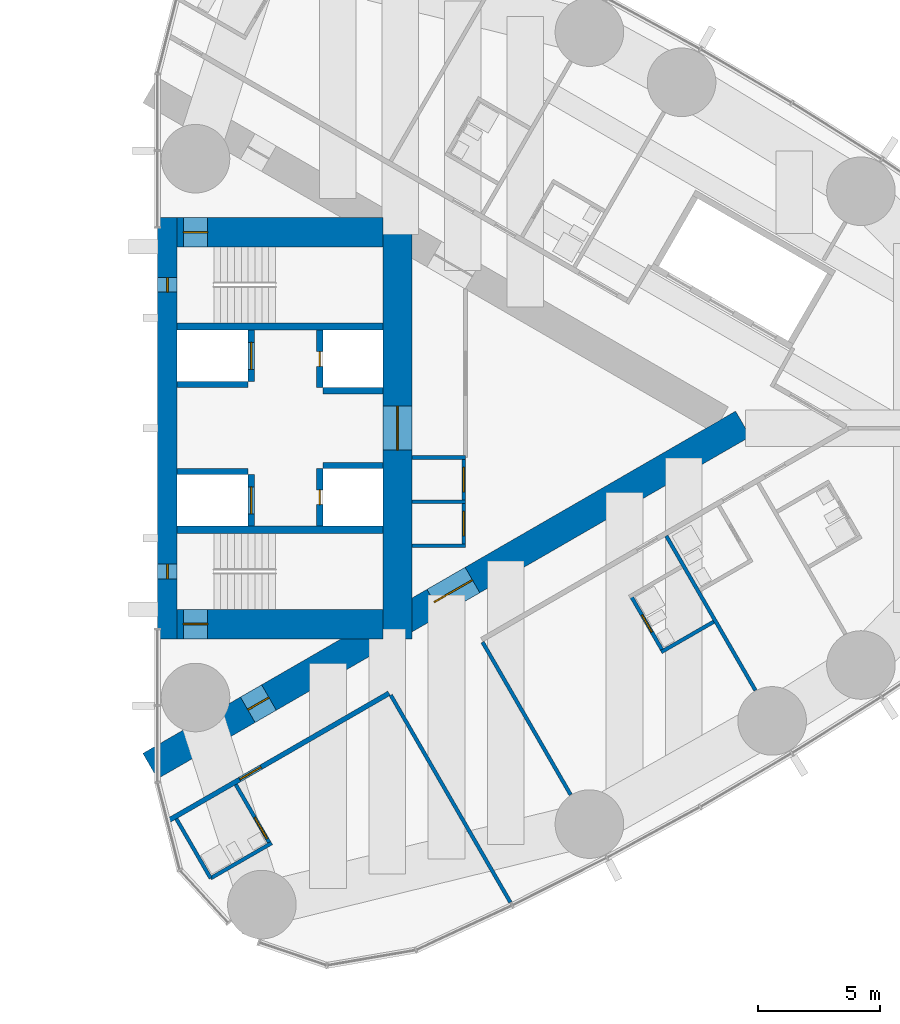
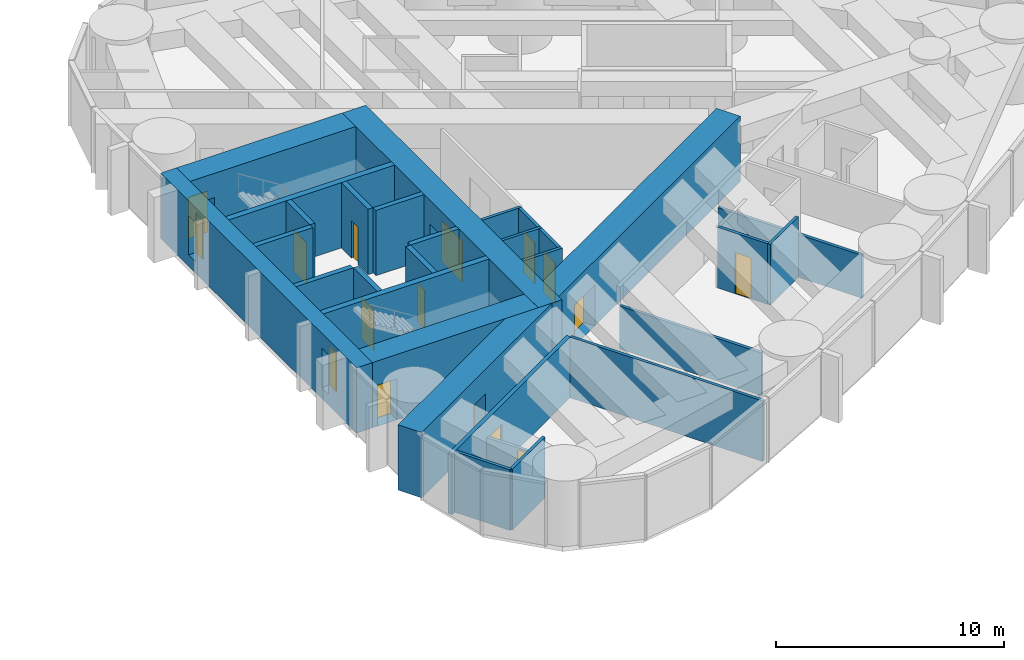
# One storey, part 14 of 19: 29 walls, 14 doors, 2 windows, 16 openings.
"""IFC4 building model written with IfcOpenShell, lengths in metres."""

from ifc_helpers import new_model, si_unit, direction, frame, frame_2d, origin, place, context, subcontext, project, spatial, rectangle, extrude, material, layer, layer_set, type_object, element, fill, save


model = new_model("IFC4")

# Units and contexts
model_context = context("Model", 3, precision=1e-05, world=origin(), true_north=direction((0.0, 1.0)))
body_context = subcontext(model_context, "Body", "Model", "MODEL_VIEW")
ifc_project = project(units=[si_unit("LENGTHUNIT", "METRE"), si_unit("AREAUNIT", "SQUARE_METRE"), si_unit("VOLUMEUNIT", "CUBIC_METRE"), si_unit("PLANEANGLEUNIT", "RADIAN"), si_unit("MASSUNIT", "GRAM", prefix="KILO")], contexts=[model_context])

# Site, building, storey
site_placement = place(None, origin())
site = spatial("IfcSite", under=ifc_project, at=site_placement, CompositionType="ELEMENT")
building_placement = place(site_placement, origin())
building = spatial("IfcBuilding", under=site, at=building_placement, Name="Lancet Gate Hotel", CompositionType="ELEMENT")
storey_placement = place(building_placement, frame((0.0, 0.0, 163.300048828125)))
storey = spatial("IfcBuildingStorey", under=building, at=storey_placement, Name="L43", CompositionType="ELEMENT", Elevation=163.300048828125)

# Wall
ifc_material_1 = material(Name="Moisture resistant board partition")
ifc_layer_1 = layer(ifc_material_1, 0.14990234375)
ifc_layer_set_1 = layer_set([ifc_layer_1], Name="Bathroom wall 150")
wall_type_1 = type_object("IfcWallType", Name="Bathroom wall 150", PredefinedType="PARTITIONING", material=ifc_layer_set_1)
wall_1_placement = place(storey_placement, frame((29.669189453125, -18.378662109375, 0.0), z_axis=(0.0, 0.0, 1.0), x_axis=(0.866039941686, 0.499974818771, 0.0)))
element("IfcWall", 1, at=wall_1_placement, inside=storey, type_object=wall_type_1, Name="T2 bathroom wall 150 L43", PredefinedType="PARTITIONING", context=body_context, shape_type="SweptSolid", body=[
    extrude(rectangle(XDim=2.875244140625, YDim=0.14990234375, at=frame_2d((1.4375, 0.0))), origin(), (0.0, 0.0, 1.0), 3.25),
])

# Wall, opening, door
wall_2_placement = place(storey_placement, frame((30.694091796875, -14.553955078125, 0.0), z_axis=(0.0, 0.0, 1.0), x_axis=(0.500049511043, -0.865996816683, 0.0)))
wall_2 = element("IfcWall", 2, at=wall_2_placement, inside=storey, type_object=wall_type_1, Name="T2 bathroom wall 150 L43", PredefinedType="PARTITIONING", context=body_context, shape_type="SweptSolid", body=[
    extrude(rectangle(XDim=2.800048828125, YDim=0.14990234375, at=frame_2d((1.39990234375, 0.0))), origin(), (0.0, 0.0, 1.0), 2.300048828125),
])
opening_1_placement = place(wall_2_placement, frame((1.550048828125, 0.0, 0.0)))
opening_1 = element("IfcOpeningElement", 3, at=opening_1_placement, cuts=wall_2, Name="Opening 4351-B", PredefinedType="OPENING", context=body_context, shape_type="SweptSolid", body=[
    extrude(rectangle(XDim=1.0, YDim=2.199951171875, at=frame_2d((0.5, 1.10009765625))), frame((0.0, 0.0849609375, 0.0), z_axis=(0.0, -1.0, 0.0), x_axis=(1.0, 0.0, 0.0)), (0.0, 0.0, 1.0), 0.169921875),
])
ifc_material_2 = material(Name="Timber door set", Category="wood")
door_type_1 = type_object("IfcDoorType", Name="Accessible en-suite door 1000", OperationType="SINGLE_SWING_RIGHT", PredefinedType="DOOR", material=ifc_material_2)
door_1_placement = place(opening_1_placement, origin())
door_1 = element("IfcDoor", 4, at=door_1_placement, inside=storey, type_object=door_type_1, Name="4351-B", OperationType="SINGLE_SWING_RIGHT", OverallHeight=2.199951171875, OverallWidth=1.0, PredefinedType="DOOR", context=body_context, shape_type="SweptSolid", body=[
    extrude(rectangle(XDim=1.0, YDim=2.199951171875, at=frame_2d((0.5, 1.10009765625))), frame((0.0, 0.02490234375, 0.0), z_axis=(0.0, -1.0, 0.0), x_axis=(1.0, 0.0, 0.0)), (0.0, 0.0, 1.0), 0.050048828125),
])
fill(opening_1, door_1)

# Walls
wall_3_placement = place(storey_placement, frame((28.269287109375, -15.953857421875, 0.0), z_axis=(0.0, 0.0, 1.0), x_axis=(0.49998411664, -0.866034573852, 0.0)))
element("IfcWall", 5, at=wall_3_placement, inside=storey, type_object=wall_type_1, Name="T2 bathroom wall 150 L43", PredefinedType="PARTITIONING", context=body_context, shape_type="SweptSolid", body=[
    extrude(rectangle(XDim=2.7998046875, YDim=0.14990234375, at=frame_2d((1.39990234375, 0.0))), origin(), (0.0, 0.0, 1.0), 3.25),
])
wall_4_placement = place(storey_placement, frame((48.06640625, -9.142822265625, 0.0), z_axis=(0.0, 0.0, 1.0), x_axis=(0.866006523861, 0.500032699561, 0.0)))
element("IfcWall", 6, at=wall_4_placement, inside=storey, type_object=wall_type_1, Name="T2 bathroom wall 150 L43", PredefinedType="PARTITIONING", context=body_context, shape_type="SweptSolid", body=[
    extrude(rectangle(XDim=2.474853515625, YDim=0.14990234375, at=frame_2d((1.2373046875, 0.0))), origin(), (0.0, 0.0, 1.0), 3.25),
])

# Wall, opening, door
wall_5_placement = place(storey_placement, frame((46.831298828125, -6.853759765625, 0.0), z_axis=(0.0, 0.0, 1.0), x_axis=(0.500006934395, -0.866021400173, 0.0)))
wall_5 = element("IfcWall", 7, at=wall_5_placement, inside=storey, type_object=wall_type_1, Name="T2 bathroom wall 150 L43", PredefinedType="PARTITIONING", context=body_context, shape_type="SweptSolid", body=[
    extrude(rectangle(XDim=2.60009765625, YDim=0.14990234375, at=frame_2d((1.300048828125, 0.0))), origin(), (0.0, 0.0, 1.0), 3.25),
])
opening_2_placement = place(wall_5_placement, frame((0.89990234375, 0.0, 0.0)))
opening_2 = element("IfcOpeningElement", 8, at=opening_2_placement, cuts=wall_5, Name="Opening 4354-B", PredefinedType="OPENING", context=body_context, shape_type="SweptSolid", body=[
    extrude(rectangle(XDim=0.800048828125, YDim=2.199951171875, at=frame_2d((0.39990234375, 1.10009765625))), frame((0.0, 0.0849609375, 0.0), z_axis=(0.0, -1.0, 0.0), x_axis=(1.0, 0.0, 0.0)), (0.0, 0.0, 1.0), 0.169921875),
])
ifc_material_3 = material(Name="Timber door set", Category="wood")
door_type_2 = type_object("IfcDoorType", Name="Bathroom door 800", OperationType="SINGLE_SWING_RIGHT", PredefinedType="DOOR", material=ifc_material_3)
door_2_placement = place(opening_2_placement, origin())
door_2 = element("IfcDoor", 9, at=door_2_placement, inside=storey, type_object=door_type_2, Name="4354-B", OperationType="SINGLE_SWING_RIGHT", OverallHeight=2.199951171875, OverallWidth=0.800048828125, PredefinedType="DOOR", context=body_context, shape_type="SweptSolid", body=[
    extrude(rectangle(XDim=0.800048828125, YDim=2.199951171875, at=frame_2d((0.39990234375, 1.10009765625))), frame((0.0, 0.02490234375, 0.0), z_axis=(0.0, -1.0, 0.0), x_axis=(1.0, 0.0, 0.0)), (0.0, 0.0, 1.0), 0.050048828125),
])
fill(opening_2, door_2)

# Wall, openings, doors
ifc_material_4 = material(Name="Concrete C70/85", Category="concrete")
ifc_layer_2 = layer(ifc_material_4, 1.199951171875)
ifc_layer_set_2 = layer_set([ifc_layer_2], Name="Buttress wall 1200")
wall_type_2 = type_object("IfcWallType", Name="Buttress wall 1200", PredefinedType="SHEAR", material=ifc_layer_set_2)
wall_6_placement = place(storey_placement, frame((27.199951171875, -13.800048828125, 0.0), z_axis=(0.0, 0.0, 1.0), x_axis=(0.866027159892, 0.499996958321, 0.0)))
wall_6 = element("IfcWall", 10, at=wall_6_placement, inside=storey, type_object=wall_type_2, Name="T2 buttress wall S L43", PredefinedType="SHEAR", context=body_context, shape_type="SweptSolid", body=[
    extrude(rectangle(XDim=27.946533203125, YDim=1.199951171875, at=frame_2d((13.97314453125, 0.0))), origin(), (0.0, 0.0, 1.0), 3.5),
])
opening_3_placement = place(wall_6_placement, frame((4.60009765625, 0.0, 0.0)))
opening_3 = element("IfcOpeningElement", 11, at=opening_3_placement, cuts=wall_6, Name="Opening T2-L43-LS", PredefinedType="OPENING", context=body_context, shape_type="SweptSolid", body=[
    extrude(rectangle(XDim=1.0, YDim=2.199951171875, at=frame_2d((0.5, 1.10009765625))), frame((0.0, 0.60986328125, 0.0), z_axis=(0.0, -1.0, 0.0), x_axis=(1.0, 0.0, 0.0)), (0.0, 0.0, 1.0), 1.219970703125),
])
opening_4_placement = place(wall_6_placement, frame((13.39453125, 0.0, 0.0)))
opening_4 = element("IfcOpeningElement", 12, at=opening_4_placement, cuts=wall_6, Name="Opening T2-L43-LHS", PredefinedType="OPENING", context=body_context, shape_type="SweptSolid", body=[
    extrude(rectangle(XDim=1.800048828125, YDim=2.199951171875, at=frame_2d((0.89990234375, 1.10009765625))), frame((0.0, 0.60986328125, 0.0), z_axis=(0.0, -1.0, 0.0), x_axis=(1.0, 0.0, 0.0)), (0.0, 0.0, 1.0), 1.219970703125),
])
ifc_material_5 = material(Name="Timber door set", Category="wood")
door_type_3 = type_object("IfcDoorType", Name="Lobby double door 1800", OperationType="DOUBLE_DOOR_SINGLE_SWING", PredefinedType="DOOR", material=ifc_material_5)
door_3_placement = place(opening_4_placement, origin())
door_3 = element("IfcDoor", 13, at=door_3_placement, inside=storey, type_object=door_type_3, Name="T2-L43-LHS", OperationType="DOUBLE_DOOR_SINGLE_SWING", OverallHeight=2.199951171875, OverallWidth=1.800048828125, PredefinedType="DOOR", context=body_context, shape_type="SweptSolid", body=[
    extrude(rectangle(XDim=1.800048828125, YDim=2.199951171875, at=frame_2d((0.89990234375, 1.10009765625))), frame((0.0, 0.02490234375, 0.0), z_axis=(0.0, -1.0, 0.0), x_axis=(1.0, 0.0, 0.0)), (0.0, 0.0, 1.0), 0.050048828125),
])
fill(opening_4, door_3)
ifc_material_6 = material(Name="Timber door set", Category="wood")
door_type_4 = type_object("IfcDoorType", Name="Stair lobby door 1000", OperationType="SINGLE_SWING_LEFT", PredefinedType="DOOR", material=ifc_material_6)
door_4_placement = place(opening_3_placement, origin())
door_4 = element("IfcDoor", 14, at=door_4_placement, inside=storey, type_object=door_type_4, Name="T2-L43-LS", OperationType="SINGLE_SWING_LEFT", OverallHeight=2.199951171875, OverallWidth=1.0, PredefinedType="DOOR", context=body_context, shape_type="SweptSolid", body=[
    extrude(rectangle(XDim=1.0, YDim=2.199951171875, at=frame_2d((0.5, 1.10009765625))), frame((0.0, 0.02490234375, 0.0), z_axis=(0.0, -1.0, 0.0), x_axis=(1.0, 0.0, 0.0)), (0.0, 0.0, 1.0), 0.050048828125),
])
fill(opening_3, door_4)

# Wall, opening, door
ifc_material_7 = material(Name="Concrete C70/85", Category="concrete")
ifc_layer_3 = layer(ifc_material_7, 1.199951171875)
ifc_layer_set_3 = layer_set([ifc_layer_3], Name="Core wall 1200")
wall_type_3 = type_object("IfcWallType", Name="Core wall 1200", PredefinedType="SHEAR", material=ifc_layer_set_3)
wall_7_placement = place(storey_placement, frame((37.300048828125, -8.60009765625, 0.0), z_axis=(0.0, 0.0, 1.0), x_axis=(0.0, 1.0, 0.0)))
wall_7 = element("IfcWall", 15, at=wall_7_placement, inside=storey, type_object=wall_type_3, Name="T2 core wall back L43", PredefinedType="SHEAR", context=body_context, shape_type="SweptSolid", body=[
    extrude(rectangle(XDim=17.2001953125, YDim=1.199951171875, at=frame_2d((8.60009765625, 0.0))), origin(), (0.0, 0.0, 1.0), 3.5),
])
opening_5_placement = place(wall_7_placement, frame((7.699951171875, 0.0, 0.0)))
opening_5 = element("IfcOpeningElement", 16, at=opening_5_placement, cuts=wall_7, Name="Opening T2-L43-LL", PredefinedType="OPENING", context=body_context, shape_type="SweptSolid", body=[
    extrude(rectangle(XDim=1.800048828125, YDim=2.199951171875, at=frame_2d((0.89990234375, 1.10009765625))), frame((0.0, 0.60986328125, 0.0), z_axis=(0.0, -1.0, 0.0), x_axis=(1.0, 0.0, 0.0)), (0.0, 0.0, 1.0), 1.219970703125),
])
door_5_placement = place(opening_5_placement, origin())
door_5 = element("IfcDoor", 17, at=door_5_placement, inside=storey, type_object=door_type_3, Name="T2-L43-LL", OperationType="DOUBLE_DOOR_SINGLE_SWING", OverallHeight=2.199951171875, OverallWidth=1.800048828125, PredefinedType="DOOR", context=body_context, shape_type="SweptSolid", body=[
    extrude(rectangle(XDim=1.800048828125, YDim=2.199951171875, at=frame_2d((0.89990234375, 1.10009765625))), frame((0.0, 0.02490234375, 0.0), z_axis=(0.0, -1.0, 0.0), x_axis=(1.0, 0.0, 0.0)), (0.0, 0.0, 1.0), 0.050048828125),
])
fill(opening_5, door_5)

wall_8_placement = place(storey_placement, frame((28.300048828125, -8.0, 0.0), z_axis=(0.0, 0.0, 1.0), x_axis=(1.0, 0.0, 0.0)))
wall_8 = element("IfcWall", 18, at=wall_8_placement, inside=storey, type_object=wall_type_3, Name="T2 core wall side-S L43", PredefinedType="SHEAR", context=body_context, shape_type="SweptSolid", body=[
    extrude(rectangle(XDim=8.39990234375, YDim=1.199951171875, at=frame_2d((4.199951171875, 0.0))), origin(), (0.0, 0.0, 1.0), 3.5),
])
opening_6_placement = place(wall_8_placement, frame((0.25, 0.0, 0.0)))
opening_6 = element("IfcOpeningElement", 19, at=opening_6_placement, cuts=wall_8, Name="Opening T2-L43-ST1", PredefinedType="OPENING", context=body_context, shape_type="SweptSolid", body=[
    extrude(rectangle(XDim=1.0, YDim=2.199951171875, at=frame_2d((0.5, 1.10009765625))), frame((0.0, 0.60986328125, 0.0), z_axis=(0.0, -1.0, 0.0), x_axis=(1.0, 0.0, 0.0)), (0.0, 0.0, 1.0), 1.219970703125),
])
ifc_material_8 = material(Name="Timber door set", Category="wood")
door_type_5 = type_object("IfcDoorType", Name="Stair door 1000", OperationType="SINGLE_SWING_RIGHT", PredefinedType="DOOR", material=ifc_material_8)
door_6_placement = place(opening_6_placement, origin())
door_6 = element("IfcDoor", 20, at=door_6_placement, inside=storey, type_object=door_type_5, Name="T2-L43-ST1", OperationType="SINGLE_SWING_RIGHT", OverallHeight=2.199951171875, OverallWidth=1.0, PredefinedType="DOOR", context=body_context, shape_type="SweptSolid", body=[
    extrude(rectangle(XDim=1.0, YDim=2.199951171875, at=frame_2d((0.5, 1.10009765625))), frame((0.0, 0.02490234375, 0.0), z_axis=(0.0, -1.0, 0.0), x_axis=(1.0, 0.0, 0.0)), (0.0, 0.0, 1.0), 0.050048828125),
])
fill(opening_6, door_6)

wall_9_placement = place(storey_placement, frame((28.300048828125, 8.0, 0.0), z_axis=(0.0, 0.0, 1.0), x_axis=(1.0, 0.0, 0.0)))
wall_9 = element("IfcWall", 21, at=wall_9_placement, inside=storey, type_object=wall_type_3, Name="T2 core wall side-N L43", PredefinedType="SHEAR", context=body_context, shape_type="SweptSolid", body=[
    extrude(rectangle(XDim=8.39990234375, YDim=1.199951171875, at=frame_2d((4.199951171875, 0.0))), origin(), (0.0, 0.0, 1.0), 3.5),
])
opening_7_placement = place(wall_9_placement, frame((0.25, 0.0, 0.0)))
opening_7 = element("IfcOpeningElement", 22, at=opening_7_placement, cuts=wall_9, Name="Opening T2-L43-ST2", PredefinedType="OPENING", context=body_context, shape_type="SweptSolid", body=[
    extrude(rectangle(XDim=1.0, YDim=2.199951171875, at=frame_2d((0.5, 1.10009765625))), frame((0.0, 0.60986328125, 0.0), z_axis=(0.0, -1.0, 0.0), x_axis=(1.0, 0.0, 0.0)), (0.0, 0.0, 1.0), 1.219970703125),
])
door_7_placement = place(opening_7_placement, origin())
door_7 = element("IfcDoor", 23, at=door_7_placement, inside=storey, type_object=door_type_5, Name="T2-L43-ST2", OperationType="SINGLE_SWING_RIGHT", OverallHeight=2.199951171875, OverallWidth=1.0, PredefinedType="DOOR", context=body_context, shape_type="SweptSolid", body=[
    extrude(rectangle(XDim=1.0, YDim=2.199951171875, at=frame_2d((0.5, 1.10009765625))), frame((0.0, 0.02490234375, 0.0), z_axis=(0.0, -1.0, 0.0), x_axis=(1.0, 0.0, 0.0)), (0.0, 0.0, 1.0), 0.050048828125),
])
fill(opening_7, door_7)

# Wall, openings, windows
ifc_material_9 = material(Name="Concrete C70/85", Category="concrete")
ifc_layer_4 = layer(ifc_material_9, 0.800048828125)
ifc_layer_set_4 = layer_set([ifc_layer_4], Name="Core wall 800")
wall_type_4 = type_object("IfcWallType", Name="Core wall 800", PredefinedType="SHEAR", material=ifc_layer_set_4)
wall_10_placement = place(storey_placement, frame((27.89990234375, -8.60009765625, 0.0), z_axis=(0.0, 0.0, 1.0), x_axis=(0.0, 1.0, 0.0)))
wall_10 = element("IfcWall", 24, at=wall_10_placement, inside=storey, type_object=wall_type_4, Name="T2 core wall front L43", PredefinedType="SHEAR", context=body_context, shape_type="SweptSolid", body=[
    extrude(rectangle(XDim=17.2001953125, YDim=0.800048828125, at=frame_2d((8.60009765625, 0.0))), origin(), (0.0, 0.0, 1.0), 3.5),
])
opening_8_placement = place(wall_10_placement, frame((2.449951171875, 0.0, 0.60009765625)))
opening_8 = element("IfcOpeningElement", 25, at=opening_8_placement, cuts=wall_10, Name="Opening LW1", PredefinedType="OPENING", context=body_context, shape_type="SweptSolid", body=[
    extrude(rectangle(XDim=0.60009765625, YDim=2.10009765625, at=frame_2d((0.300048828125, 1.050048828125))), frame((0.0, 0.409912109375, 0.0), z_axis=(0.0, -1.0, 0.0), x_axis=(1.0, 0.0, 0.0)), (0.0, 0.0, 1.0), 0.820068359375),
])
opening_9_placement = place(wall_10_placement, frame((14.14990234375, 0.0, 0.60009765625)))
opening_9 = element("IfcOpeningElement", 26, at=opening_9_placement, cuts=wall_10, Name="Opening LW1", PredefinedType="OPENING", context=body_context, shape_type="SweptSolid", body=[
    extrude(rectangle(XDim=0.60009765625, YDim=2.10009765625, at=frame_2d((0.300048828125, 1.050048828125))), frame((0.0, 0.409912109375, 0.0), z_axis=(0.0, -1.0, 0.0), x_axis=(1.0, 0.0, 0.0)), (0.0, 0.0, 1.0), 0.820068359375),
])
ifc_material_10 = material(Name="Fire-resisting glazed steel window", Category="steel")
window_type = type_object("IfcWindowType", Name="Lancet window 600x2100", PartitioningType="SINGLE_PANEL", PredefinedType="WINDOW", material=ifc_material_10)
window_1_placement = place(opening_8_placement, origin())
window_1 = element("IfcWindow", 27, at=window_1_placement, inside=storey, type_object=window_type, Name="T2 stair window S L43", OverallHeight=2.10009765625, OverallWidth=0.60009765625, PartitioningType="SINGLE_PANEL", PredefinedType="WINDOW", context=body_context, shape_type="SweptSolid", body=[
    extrude(rectangle(XDim=0.60009765625, YDim=2.10009765625, at=frame_2d((0.300048828125, 1.050048828125))), frame((0.0, 0.030029296875, 0.0), z_axis=(0.0, -1.0, 0.0), x_axis=(1.0, 0.0, 0.0)), (0.0, 0.0, 1.0), 0.06005859375),
])
fill(opening_8, window_1)
window_2_placement = place(opening_9_placement, origin())
window_2 = element("IfcWindow", 28, at=window_2_placement, inside=storey, type_object=window_type, Name="T2 stair window N L43", OverallHeight=2.10009765625, OverallWidth=0.60009765625, PartitioningType="SINGLE_PANEL", PredefinedType="WINDOW", context=body_context, shape_type="SweptSolid", body=[
    extrude(rectangle(XDim=0.60009765625, YDim=2.10009765625, at=frame_2d((0.300048828125, 1.050048828125))), frame((0.0, 0.030029296875, 0.0), z_axis=(0.0, -1.0, 0.0), x_axis=(1.0, 0.0, 0.0)), (0.0, 0.0, 1.0), 0.06005859375),
])
fill(opening_9, window_2)

# Wall, opening, door
ifc_material_11 = material(Name="Gypsum board partition")
ifc_layer_5 = layer(ifc_material_11, 0.199951171875)
ifc_layer_set_5 = layer_set([ifc_layer_5], Name="Corridor wall 200")
wall_type_5 = type_object("IfcWallType", Name="Corridor wall 200", PredefinedType="PARTITIONING", material=ifc_layer_set_5)
wall_11_placement = place(storey_placement, frame((27.95947265625, -16.017333984375, 0.0), z_axis=(0.0, 0.0, 1.0), x_axis=(0.866026201739, 0.499998617899, 0.0)))
wall_11 = element("IfcWall", 29, at=wall_11_placement, inside=storey, type_object=wall_type_5, Name="T2 corridor wall 200 L43", PredefinedType="PARTITIONING", context=body_context, shape_type="SweptSolid", body=[
    extrude(rectangle(XDim=10.3818359375, YDim=0.199951171875, at=frame_2d((5.19091796875, 0.0))), origin(), (0.0, 0.0, 1.0), 3.25),
])
opening_10_placement = place(wall_11_placement, frame((3.35009765625, 0.0, 0.0)))
opening_10 = element("IfcOpeningElement", 30, at=opening_10_placement, cuts=wall_11, Name="Opening 4351-E", PredefinedType="OPENING", context=body_context, shape_type="SweptSolid", body=[
    extrude(rectangle(XDim=1.0, YDim=2.199951171875, at=frame_2d((0.5, 1.10009765625))), frame((0.0, 0.10986328125, 0.0), z_axis=(0.0, -1.0, 0.0), x_axis=(1.0, 0.0, 0.0)), (0.0, 0.0, 1.0), 0.219970703125),
])
ifc_material_12 = material(Name="Timber door set", Category="wood")
door_type_6 = type_object("IfcDoorType", Name="Accessible guest room door 1000", OperationType="SINGLE_SWING_LEFT", PredefinedType="DOOR", material=ifc_material_12)
door_8_placement = place(opening_10_placement, origin())
door_8 = element("IfcDoor", 31, at=door_8_placement, inside=storey, type_object=door_type_6, Name="4351-E", OperationType="SINGLE_SWING_LEFT", OverallHeight=2.199951171875, OverallWidth=1.0, PredefinedType="DOOR", context=body_context, shape_type="SweptSolid", body=[
    extrude(rectangle(XDim=1.0, YDim=2.199951171875, at=frame_2d((0.5, 1.10009765625))), frame((0.0, 0.02490234375, 0.0), z_axis=(0.0, -1.0, 0.0), x_axis=(1.0, 0.0, 0.0)), (0.0, 0.0, 1.0), 0.050048828125),
])
fill(opening_10, door_8)

ifc_material_13 = material(Name="Concrete C50/60", Category="concrete")
ifc_layer_6 = layer(ifc_material_13, 0.25)
ifc_layer_set_6 = layer_set([ifc_layer_6], Name="Lift shaft wall 250")
wall_type_6 = type_object("IfcWallType", Name="Lift shaft wall 250", PredefinedType="SHEAR", material=ifc_layer_set_6)
wall_12_placement = place(storey_placement, frame((31.324951171875, -4.0, 0.0), z_axis=(0.0, 0.0, 1.0), x_axis=(0.0, 1.0, 0.0)))
wall_12 = element("IfcWall", 32, at=wall_12_placement, inside=storey, type_object=wall_type_6, Name="T2 core wall row1-S L43", PredefinedType="SHEAR", context=body_context, shape_type="SweptSolid", body=[
    extrude(rectangle(XDim=2.10009765625, YDim=0.25, at=frame_2d((1.050048828125, 0.0))), origin(), (0.0, 0.0, 1.0), 3.5),
])
opening_11_placement = place(wall_12_placement, frame((0.5, 0.0, 0.0)))
opening_11 = element("IfcOpeningElement", 33, at=opening_11_placement, cuts=wall_12, Name="Opening T2-SL1-L43", PredefinedType="OPENING", context=body_context, shape_type="SweptSolid", body=[
    extrude(rectangle(XDim=1.10009765625, YDim=2.199951171875, at=frame_2d((0.550048828125, 1.10009765625))), frame((0.0, 0.135009765625, 0.0), z_axis=(0.0, -1.0, 0.0), x_axis=(1.0, 0.0, 0.0)), (0.0, 0.0, 1.0), 0.27001953125),
])
ifc_material_14 = material(Name="Timber door set", Category="wood")
door_type_7 = type_object("IfcDoorType", Name="Service lift landing door 1100", OperationType="SLIDING_TO_LEFT", PredefinedType="USERDEFINED", material=ifc_material_14)
door_9_placement = place(opening_11_placement, origin())
door_9 = element("IfcDoor", 34, at=door_9_placement, inside=storey, type_object=door_type_7, Name="T2-SL1-L43", ObjectType="LIFT LANDING DOOR", OperationType="SLIDING_TO_LEFT", OverallHeight=2.199951171875, OverallWidth=1.10009765625, PredefinedType="USERDEFINED", context=body_context, shape_type="SweptSolid", body=[
    extrude(rectangle(XDim=1.10009765625, YDim=2.199951171875, at=frame_2d((0.550048828125, 1.10009765625))), frame((0.0, 0.02490234375, 0.0), z_axis=(0.0, -1.0, 0.0), x_axis=(1.0, 0.0, 0.0)), (0.0, 0.0, 1.0), 0.050048828125),
])
fill(opening_11, door_9)

wall_13_placement = place(storey_placement, frame((34.125, -4.0, 0.0), z_axis=(0.0, 0.0, 1.0), x_axis=(0.0, 1.0, 0.0)))
wall_13 = element("IfcWall", 35, at=wall_13_placement, inside=storey, type_object=wall_type_6, Name="T2 core wall row2-S L43", PredefinedType="SHEAR", context=body_context, shape_type="SweptSolid", body=[
    extrude(rectangle(XDim=2.35009765625, YDim=0.25, at=frame_2d((1.175048828125, 0.0))), origin(), (0.0, 0.0, 1.0), 3.5),
])
opening_12_placement = place(wall_13_placement, frame((0.875, 0.0, 0.0)))
opening_12 = element("IfcOpeningElement", 36, at=opening_12_placement, cuts=wall_13, Name="Opening T2-OL3-L43-E", PredefinedType="OPENING", context=body_context, shape_type="SweptSolid", body=[
    extrude(rectangle(XDim=0.60009765625, YDim=2.0, at=frame_2d((0.300048828125, 1.0))), frame((0.0, 0.135009765625, 0.0), z_axis=(0.0, -1.0, 0.0), x_axis=(1.0, 0.0, 0.0)), (0.0, 0.0, 1.0), 0.27001953125),
])
ifc_material_15 = material(Name="Steel door set", Category="steel")
door_type_8 = type_object("IfcDoorType", Name="Lift shaft emergency door 600x2000", OperationType="SLIDING_TO_LEFT", PredefinedType="DOOR", material=ifc_material_15)
door_10_placement = place(opening_12_placement, origin())
door_10 = element("IfcDoor", 37, at=door_10_placement, inside=storey, type_object=door_type_8, Name="T2-OL3-L43-E", OperationType="SLIDING_TO_LEFT", OverallHeight=2.0, OverallWidth=0.60009765625, PredefinedType="DOOR", context=body_context, shape_type="SweptSolid", body=[
    extrude(rectangle(XDim=0.60009765625, YDim=2.0, at=frame_2d((0.300048828125, 1.0))), frame((0.0, 0.02490234375, 0.0), z_axis=(0.0, -1.0, 0.0), x_axis=(1.0, 0.0, 0.0)), (0.0, 0.0, 1.0), 0.050048828125),
])
fill(opening_12, door_10)

# Walls
wall_14_placement = place(storey_placement, frame((28.300048828125, -1.77490234375, 0.0), z_axis=(0.0, 0.0, 1.0), x_axis=(1.0, 0.0, 0.0)))
element("IfcWall", 38, at=wall_14_placement, inside=storey, type_object=wall_type_6, Name="T2 core wall pass1-S L43", PredefinedType="SHEAR", context=body_context, shape_type="SweptSolid", body=[
    extrude(rectangle(XDim=2.89990234375, YDim=0.25, at=frame_2d((1.449951171875, 0.0))), origin(), (0.0, 0.0, 1.0), 3.5),
])
wall_15_placement = place(storey_placement, frame((34.25, -1.52490234375, 0.0), z_axis=(0.0, 0.0, 1.0), x_axis=(1.0, 0.0, 0.0)))
element("IfcWall", 39, at=wall_15_placement, inside=storey, type_object=wall_type_6, Name="T2 core wall pass2-S L43", PredefinedType="SHEAR", context=body_context, shape_type="SweptSolid", body=[
    extrude(rectangle(XDim=2.449951171875, YDim=0.25, at=frame_2d((1.22509765625, 0.0))), origin(), (0.0, 0.0, 1.0), 3.5),
])

# Wall, opening, door
wall_16_placement = place(storey_placement, frame((31.324951171875, 1.89990234375, 0.0), z_axis=(0.0, 0.0, 1.0), x_axis=(0.0, 1.0, 0.0)))
wall_16 = element("IfcWall", 40, at=wall_16_placement, inside=storey, type_object=wall_type_6, Name="T2 core wall row1-N L43", PredefinedType="SHEAR", context=body_context, shape_type="SweptSolid", body=[
    extrude(rectangle(XDim=2.10009765625, YDim=0.25, at=frame_2d((1.050048828125, 0.0))), origin(), (0.0, 0.0, 1.0), 3.5),
])
opening_13_placement = place(wall_16_placement, frame((0.5, 0.0, 0.0)))
opening_13 = element("IfcOpeningElement", 41, at=opening_13_placement, cuts=wall_16, Name="Opening T2-FL2-L43", PredefinedType="OPENING", context=body_context, shape_type="SweptSolid", body=[
    extrude(rectangle(XDim=1.10009765625, YDim=2.199951171875, at=frame_2d((0.550048828125, 1.10009765625))), frame((0.0, 0.135009765625, 0.0), z_axis=(0.0, -1.0, 0.0), x_axis=(1.0, 0.0, 0.0)), (0.0, 0.0, 1.0), 0.27001953125),
])
ifc_material_16 = material(Name="Steel door set", Category="steel")
door_type_9 = type_object("IfcDoorType", Name="Firefighting lift landing door 1100", OperationType="SLIDING_TO_LEFT", PredefinedType="USERDEFINED", material=ifc_material_16)
door_11_placement = place(opening_13_placement, origin())
door_11 = element("IfcDoor", 42, at=door_11_placement, inside=storey, type_object=door_type_9, Name="T2-FL2-L43", ObjectType="LIFT LANDING DOOR", OperationType="SLIDING_TO_LEFT", OverallHeight=2.199951171875, OverallWidth=1.10009765625, PredefinedType="USERDEFINED", context=body_context, shape_type="SweptSolid", body=[
    extrude(rectangle(XDim=1.10009765625, YDim=2.199951171875, at=frame_2d((0.550048828125, 1.10009765625))), frame((0.0, 0.02490234375, 0.0), z_axis=(0.0, -1.0, 0.0), x_axis=(1.0, 0.0, 0.0)), (0.0, 0.0, 1.0), 0.050048828125),
])
fill(opening_13, door_11)

wall_17_placement = place(storey_placement, frame((34.125, 1.64990234375, 0.0), z_axis=(0.0, 0.0, 1.0), x_axis=(0.0, 1.0, 0.0)))
wall_17 = element("IfcWall", 43, at=wall_17_placement, inside=storey, type_object=wall_type_6, Name="T2 core wall row2-N L43", PredefinedType="SHEAR", context=body_context, shape_type="SweptSolid", body=[
    extrude(rectangle(XDim=2.35009765625, YDim=0.25, at=frame_2d((1.175048828125, 0.0))), origin(), (0.0, 0.0, 1.0), 3.5),
])
opening_14_placement = place(wall_17_placement, frame((0.875, 0.0, 0.0)))
opening_14 = element("IfcOpeningElement", 44, at=opening_14_placement, cuts=wall_17, Name="Opening T2-OL4-L43-E", PredefinedType="OPENING", context=body_context, shape_type="SweptSolid", body=[
    extrude(rectangle(XDim=0.60009765625, YDim=2.0, at=frame_2d((0.300048828125, 1.0))), frame((0.0, 0.135009765625, 0.0), z_axis=(0.0, -1.0, 0.0), x_axis=(1.0, 0.0, 0.0)), (0.0, 0.0, 1.0), 0.27001953125),
])
door_12_placement = place(opening_14_placement, origin())
door_12 = element("IfcDoor", 45, at=door_12_placement, inside=storey, type_object=door_type_8, Name="T2-OL4-L43-E", OperationType="SLIDING_TO_LEFT", OverallHeight=2.0, OverallWidth=0.60009765625, PredefinedType="DOOR", context=body_context, shape_type="SweptSolid", body=[
    extrude(rectangle(XDim=0.60009765625, YDim=2.0, at=frame_2d((0.300048828125, 1.0))), frame((0.0, 0.02490234375, 0.0), z_axis=(0.0, -1.0, 0.0), x_axis=(1.0, 0.0, 0.0)), (0.0, 0.0, 1.0), 0.050048828125),
])
fill(opening_14, door_12)

# Walls
wall_18_placement = place(storey_placement, frame((28.300048828125, 1.77490234375, 0.0), z_axis=(0.0, 0.0, 1.0), x_axis=(1.0, 0.0, 0.0)))
element("IfcWall", 46, at=wall_18_placement, inside=storey, type_object=wall_type_6, Name="T2 core wall pass1-N L43", PredefinedType="SHEAR", context=body_context, shape_type="SweptSolid", body=[
    extrude(rectangle(XDim=2.89990234375, YDim=0.25, at=frame_2d((1.449951171875, 0.0))), origin(), (0.0, 0.0, 1.0), 3.5),
])
wall_19_placement = place(storey_placement, frame((34.25, 1.52490234375, 0.0), z_axis=(0.0, 0.0, 1.0), x_axis=(1.0, 0.0, 0.0)))
element("IfcWall", 47, at=wall_19_placement, inside=storey, type_object=wall_type_6, Name="T2 core wall pass2-N L43", PredefinedType="SHEAR", context=body_context, shape_type="SweptSolid", body=[
    extrude(rectangle(XDim=2.449951171875, YDim=0.25, at=frame_2d((1.22509765625, 0.0))), origin(), (0.0, 0.0, 1.0), 3.5),
])
ifc_material_17 = material(Name="Gypsum board partition")
ifc_layer_7 = layer(ifc_material_17, 0.14990234375)
ifc_layer_set_7 = layer_set([ifc_layer_7], Name="Party wall 150")
wall_type_7 = type_object("IfcWallType", Name="Party wall 150", PredefinedType="PARTITIONING", material=ifc_layer_set_7)
wall_20_placement = place(storey_placement, frame((37.022216796875, -10.900390625, 0.0), z_axis=(0.0, 0.0, 1.0), x_axis=(0.499998620953, -0.866026199976, 0.0)))
element("IfcWall", 48, at=wall_20_placement, inside=storey, type_object=wall_type_7, Name="T2 party wall 150 L43", PredefinedType="PARTITIONING", context=body_context, shape_type="SweptSolid", body=[
    extrude(rectangle(XDim=9.76953125, YDim=0.14990234375, at=frame_2d((4.884765625, 0.0))), origin(), (0.0, 0.0, 1.0), 3.25),
])
wall_21_placement = place(storey_placement, frame((40.769287109375, -8.737060546875, 0.0), z_axis=(0.0, 0.0, 1.0), x_axis=(0.500013115284, -0.866017831539, 0.0)))
element("IfcWall", 49, at=wall_21_placement, inside=storey, type_object=wall_type_7, Name="T2 party wall 150 L43", PredefinedType="PARTITIONING", context=body_context, shape_type="SweptSolid", body=[
    extrude(rectangle(XDim=7.197998046875, YDim=0.14990234375, at=frame_2d((3.59912109375, 0.0))), origin(), (0.0, 0.0, 1.0), 2.300048828125),
])
wall_22_placement = place(storey_placement, frame((48.274658203125, -4.40380859375, 0.0), z_axis=(0.0, 0.0, 1.0), x_axis=(0.500006004368, -0.866021937133, 0.0)))
element("IfcWall", 50, at=wall_22_placement, inside=storey, type_object=wall_type_7, Name="T2 party wall 150 L43", PredefinedType="PARTITIONING", context=body_context, shape_type="SweptSolid", body=[
    extrude(rectangle(XDim=7.279296875, YDim=0.14990234375, at=frame_2d((3.6396484375, 0.0))), origin(), (0.0, 0.0, 1.0), 2.300048828125),
])
ifc_material_18 = material(Name="Gypsum board partition")
ifc_layer_8 = layer(ifc_material_18, 0.14990234375)
ifc_layer_set_8 = layer_set([ifc_layer_8], Name="Service room wall 150")
wall_type_8 = type_object("IfcWallType", Name="Service room wall 150", PredefinedType="PARTITIONING", material=ifc_layer_set_8)
for number, where, z_axis, x_axis, name in (
    (51, (37.89990234375, -1.199951171875, 0.0), (0.0, 0.0, 1.0), (1.0, 0.0, 0.0), "T2 service room wall 150 L43"),
    (52, (37.89990234375, -3.0, 0.0), (0.0, 0.0, 1.0), (1.0, 0.0, 0.0), "T2 service room wall 150 L43"),
    (53, (37.89990234375, -4.800048828125, 0.0), (0.0, 0.0, 1.0), (1.0, 0.0, 0.0), "T2 service room wall 150 L43"),
):
    element("IfcWall", number, at=place(storey_placement, frame(where, z_axis=z_axis, x_axis=x_axis)), inside=storey, type_object=wall_type_8, Name=name, PredefinedType="PARTITIONING", context=body_context, shape_type="SweptSolid", body=[
        extrude(rectangle(XDim=2.175048828125, YDim=0.14990234375, at=frame_2d((1.08740234375, 0.0))), origin(), (0.0, 0.0, 1.0), 3.25),
    ])

# Wall, opening, door
wall_23_placement = place(storey_placement, frame((40.0, -3.074951171875, 0.0), z_axis=(0.0, 0.0, 1.0), x_axis=(0.0, 1.0, 0.0)))
wall_23 = element("IfcWall", 54, at=wall_23_placement, inside=storey, type_object=wall_type_8, Name="T2 service room wall 150 L43", PredefinedType="PARTITIONING", context=body_context, shape_type="SweptSolid", body=[
    extrude(rectangle(XDim=1.949951171875, YDim=0.14990234375, at=frame_2d((0.97509765625, 0.0))), origin(), (0.0, 0.0, 1.0), 3.25),
])
opening_15_placement = place(wall_23_placement, frame((0.47509765625, 0.0, 0.0)))
opening_15 = element("IfcOpeningElement", 55, at=opening_15_placement, cuts=wall_23, Name="Opening T2-L43-HRS0", PredefinedType="OPENING", context=body_context, shape_type="SweptSolid", body=[
    extrude(rectangle(XDim=1.0, YDim=2.199951171875, at=frame_2d((0.5, 1.10009765625))), frame((0.0, 0.0849609375, 0.0), z_axis=(0.0, -1.0, 0.0), x_axis=(1.0, 0.0, 0.0)), (0.0, 0.0, 1.0), 0.169921875),
])
ifc_material_19 = material(Name="Timber door set", Category="wood")
door_type_10 = type_object("IfcDoorType", Name="Service door 1000", OperationType="SINGLE_SWING_LEFT", PredefinedType="DOOR", material=ifc_material_19)
door_13_placement = place(opening_15_placement, origin())
door_13 = element("IfcDoor", 56, at=door_13_placement, inside=storey, type_object=door_type_10, Name="T2-L43-HRS0", OperationType="SINGLE_SWING_LEFT", OverallHeight=2.199951171875, OverallWidth=1.0, PredefinedType="DOOR", context=body_context, shape_type="SweptSolid", body=[
    extrude(rectangle(XDim=1.0, YDim=2.199951171875, at=frame_2d((0.5, 1.10009765625))), frame((0.0, 0.02490234375, 0.0), z_axis=(0.0, -1.0, 0.0), x_axis=(1.0, 0.0, 0.0)), (0.0, 0.0, 1.0), 0.050048828125),
])
fill(opening_15, door_13)

wall_24_placement = place(storey_placement, frame((40.0, -4.875, 0.0), z_axis=(0.0, 0.0, 1.0), x_axis=(0.0, 1.0, 0.0)))
wall_24 = element("IfcWall", 57, at=wall_24_placement, inside=storey, type_object=wall_type_8, Name="T2 service room wall 150 L43", PredefinedType="PARTITIONING", context=body_context, shape_type="SweptSolid", body=[
    extrude(rectangle(XDim=1.949951171875, YDim=0.14990234375, at=frame_2d((0.97509765625, 0.0))), origin(), (0.0, 0.0, 1.0), 3.25),
])
opening_16_placement = place(wall_24_placement, frame((0.47509765625, 0.0, 0.0)))
opening_16 = element("IfcOpeningElement", 58, at=opening_16_placement, cuts=wall_24, Name="Opening T2-L43-HRS1", PredefinedType="OPENING", context=body_context, shape_type="SweptSolid", body=[
    extrude(rectangle(XDim=1.0, YDim=2.199951171875, at=frame_2d((0.5, 1.10009765625))), frame((0.0, 0.0849609375, 0.0), z_axis=(0.0, -1.0, 0.0), x_axis=(1.0, 0.0, 0.0)), (0.0, 0.0, 1.0), 0.169921875),
])
door_14_placement = place(opening_16_placement, origin())
door_14 = element("IfcDoor", 59, at=door_14_placement, inside=storey, type_object=door_type_10, Name="T2-L43-HRS1", OperationType="SINGLE_SWING_LEFT", OverallHeight=2.199951171875, OverallWidth=1.0, PredefinedType="DOOR", context=body_context, shape_type="SweptSolid", body=[
    extrude(rectangle(XDim=1.0, YDim=2.199951171875, at=frame_2d((0.5, 1.10009765625))), frame((0.0, 0.02490234375, 0.0), z_axis=(0.0, -1.0, 0.0), x_axis=(1.0, 0.0, 0.0)), (0.0, 0.0, 1.0), 0.050048828125),
])
fill(opening_16, door_14)

# Walls
ifc_material_20 = material(Name="Concrete C50/60", Category="concrete")
ifc_layer_9 = layer(ifc_material_20, 0.300048828125)
ifc_layer_set_9 = layer_set([ifc_layer_9], Name="Stair enclosure wall 300")
wall_type_9 = type_object("IfcWallType", Name="Stair enclosure wall 300", PredefinedType="SHEAR", material=ifc_layer_set_9)
for number, where, z_axis, x_axis, name in (
    (60, (28.300048828125, -4.14990234375, 0.0), (0.0, 0.0, 1.0), (1.0, 0.0, 0.0), "T2 core wall stair-S L43"),
    (61, (28.300048828125, 4.14990234375, 0.0), (0.0, 0.0, 1.0), (1.0, 0.0, 0.0), "T2 core wall stair-N L43"),
):
    element("IfcWall", number, at=place(storey_placement, frame(where, z_axis=z_axis, x_axis=x_axis)), inside=storey, type_object=wall_type_9, Name=name, PredefinedType="SHEAR", context=body_context, shape_type="SweptSolid", body=[
        extrude(rectangle(XDim=8.39990234375, YDim=0.300048828125, at=frame_2d((4.199951171875, 0.0))), origin(), (0.0, 0.0, 1.0), 3.5),
    ])

save(model, "model.ifc")
